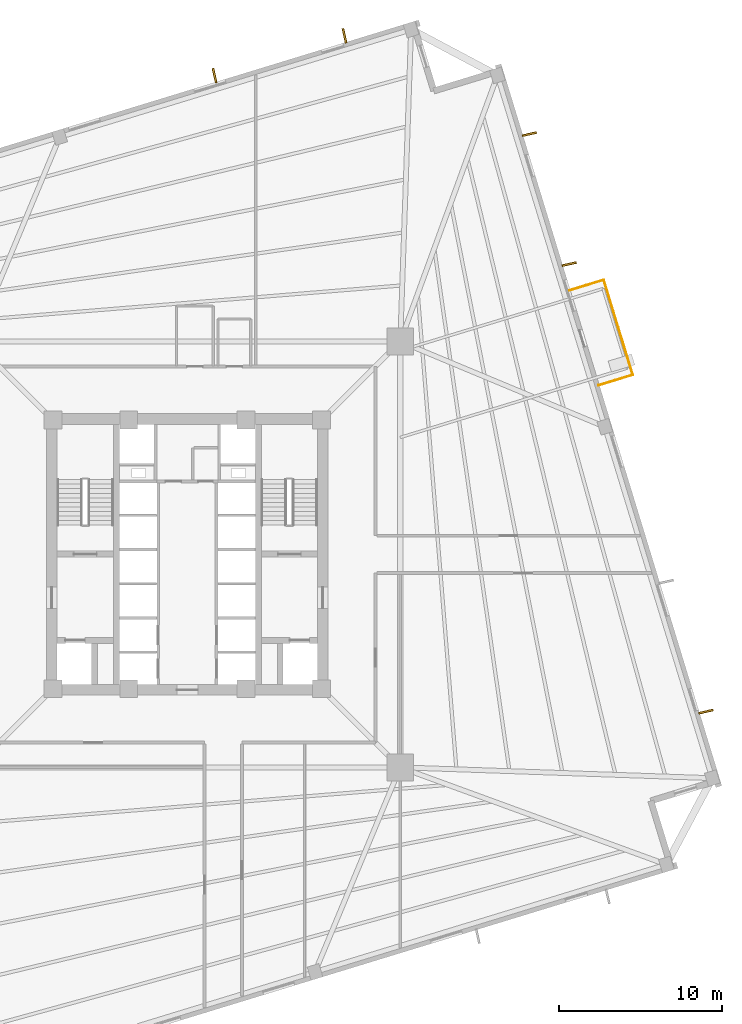
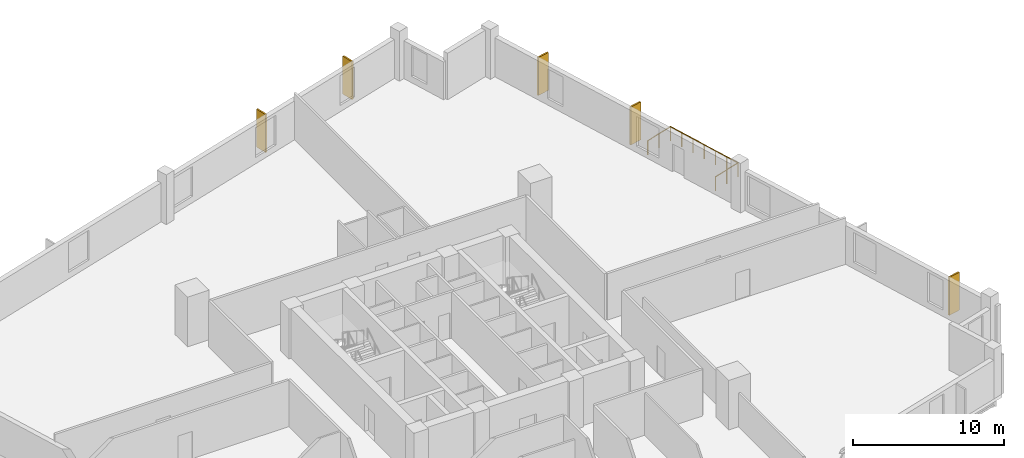
# One storey, part 9 of 9: 5 coverings, 3 railings.
"""IFC4 building model written with IfcOpenShell, lengths in metres."""

import ifcopenshell
import ifcopenshell.guid

model = None  # the IFC model being written
_history = None  # IfcOwnerHistory: only IFC2X3 demands one
_inside = {}  # id of a spatial element -> (the spatial element, [elements in it])
_under = {}  # id of a project, library or spatial element -> (it, [spatial elements below it])
_declared = {}  # id of a project -> (the project, [libraries it declares])
_typed = {}  # id of a type object -> (the type object, [elements of that type])
_made_of = {}  # id of a material, layer set ... -> (it, [elements and type objects made of it])


def new_model(schema):
    """Start an empty IFC model of exactly this schema.

    Asked for "IFC4X3", IfcOpenShell would pick the latest addendum, in which some entities
    have other attributes; the version numbers below select the first issue.
    IFC2X3 requires an IfcOwnerHistory on every rooted entity: one is made here for all.
    """
    global model, _history
    if schema == "IFC4X3":
        model = ifcopenshell.file(schema_version=(4, 3, 0, 0))
    else:
        model = ifcopenshell.file(schema=schema)
    _inside.clear()
    _under.clear()
    _declared.clear()
    _typed.clear()
    _made_of.clear()
    _history = None
    if model.schema == "IFC2X3":
        org = make("IfcOrganization", Name="unknown")
        user = make(
            "IfcPersonAndOrganization",
            ThePerson=make("IfcPerson", FamilyName="unknown"),
            TheOrganization=org,
        )
        app = make(
            "IfcApplication",
            ApplicationDeveloper=org,
            Version="unknown",
            ApplicationFullName="unknown",
            ApplicationIdentifier="unknown",
        )
        _history = make(
            "IfcOwnerHistory",
            OwningUser=user,
            OwningApplication=app,
            ChangeAction="ADDED",
            CreationDate=0,
        )
    return model


def make(cls, **values):
    """One entity of the class cls with the attributes given. An attribute that is None is left unset."""
    return model.create_entity(
        cls, **{name: value for name, value in values.items() if value is not None}
    )


def rooted(cls, **values):
    """An entity with a GlobalId (a new one), such as an element, a storey or a relation."""
    return make(cls, GlobalId=ifcopenshell.guid.new(), OwnerHistory=_history, **values)


def si_unit(unit_type, name, prefix=None):
    """IfcSIUnit, for example si_unit("LENGTHUNIT", "METRE", prefix="MILLI")."""
    return make("IfcSIUnit", UnitType=unit_type, Prefix=prefix, Name=name)


def assignment(units):
    """IfcUnitAssignment: the units of a project."""
    return None if units is None else make("IfcUnitAssignment", Units=units)


def point(xyz):
    """IfcCartesianPoint."""
    return None if xyz is None else make("IfcCartesianPoint", Coordinates=xyz)


def direction(xyz):
    """IfcDirection."""
    return None if xyz is None else make("IfcDirection", DirectionRatios=xyz)


def frame(location, z_axis=None, x_axis=None):
    """IfcAxis2Placement3D, a coordinate frame: its origin and axes. An axis left out is left unset."""
    return make(
        "IfcAxis2Placement3D",
        Location=point(location),
        Axis=direction(z_axis),
        RefDirection=direction(x_axis),
    )


def frame_2d(location, x_axis=None):
    """IfcAxis2Placement2D, a coordinate frame in the plane: its origin and x axis."""
    return make(
        "IfcAxis2Placement2D", Location=point(location), RefDirection=direction(x_axis)
    )


def origin():
    """The frame at (0, 0, 0) with its axes left unset."""
    return frame((0.0, 0.0, 0.0))


def origin_2d():
    """The frame at (0, 0) in the plane with its x axis left unset."""
    return frame_2d((0.0, 0.0))


def place(relative_to, where):
    """IfcLocalPlacement: puts the frame where relative to a parent placement (None: the world)."""
    return make(
        "IfcLocalPlacement", PlacementRelTo=relative_to, RelativePlacement=where
    )


def context(
    kind, dimensions, precision=None, world=None, true_north=None, identifier=None
):
    """IfcGeometricRepresentationContext, for example the 3D "Model" context."""
    return make(
        "IfcGeometricRepresentationContext",
        ContextIdentifier=identifier,
        ContextType=kind,
        CoordinateSpaceDimension=dimensions,
        Precision=precision,
        WorldCoordinateSystem=world,
        TrueNorth=true_north,
    )


def subcontext(parent, identifier, kind, view, scale=None):
    """IfcGeometricRepresentationSubContext, for example "Body" below "Model"."""
    return make(
        "IfcGeometricRepresentationSubContext",
        ContextIdentifier=identifier,
        ContextType=kind,
        ParentContext=parent,
        TargetScale=scale,
        TargetView=view,
    )


def project(units=None, contexts=None):
    """IfcProject with its units and contexts."""
    return rooted(
        "IfcProject",
        Name="project",
        RepresentationContexts=contexts,
        UnitsInContext=assignment(units),
    )


def spatial(cls, under=None, at=None, **own):
    """A site, building, storey or space (cls), placed at a placement, below another one or the project."""
    s = rooted(cls, ObjectPlacement=at, **own)
    if under is not None:
        _under.setdefault(under.id(), (under, []))[1].append(s)
    return s


def profile(cls, at=None, kind="AREA", **sizes):
    """A parametric profile (cls). Its sizes go by their IFC names, for example OverallWidth=200.0."""
    return make(cls, ProfileType=kind, Position=at, **sizes)


def rectangle(**sizes):
    """IfcRectangleProfileDef."""
    return profile("IfcRectangleProfileDef", **sizes)


def circle(**sizes):
    """IfcCircleProfileDef."""
    return profile("IfcCircleProfileDef", **sizes)


def extrude(swept, where, along, depth):
    """IfcExtrudedAreaSolid: the profile swept, set in the frame where, extruded along a direction by depth."""
    return make(
        "IfcExtrudedAreaSolid",
        SweptArea=swept,
        Position=where,
        ExtrudedDirection=direction(along),
        Depth=depth,
    )


def shape(context_of_items, identifier, shape_type, items):
    """IfcShapeRepresentation: the items that make up one representation, for example the "Body"."""
    return make(
        "IfcShapeRepresentation",
        ContextOfItems=context_of_items,
        RepresentationIdentifier=identifier,
        RepresentationType=shape_type,
        Items=items,
    )


def source(mapping_origin, context_of_items, identifier, shape_type, items):
    """IfcRepresentationMap: a shape defined once, which mapped items show again and again."""
    return make(
        "IfcRepresentationMap",
        MappingOrigin=mapping_origin,
        MappedRepresentation=shape(context_of_items, identifier, shape_type, items),
    )


def transform(
    local_origin,
    x_axis=None,
    y_axis=None,
    z_axis=None,
    scale=None,
    scale2=None,
    scale3=None,
    uniform=True,
):
    """IfcCartesianTransformationOperator3D, or its non-uniform kind. x_axis, y_axis, z_axis: its Axis1, 2, 3."""
    if uniform:
        return make(
            "IfcCartesianTransformationOperator3D",
            Axis1=direction(x_axis),
            Axis2=direction(y_axis),
            LocalOrigin=point(local_origin),
            Scale=scale,
            Axis3=direction(z_axis),
        )
    return make(
        "IfcCartesianTransformationOperator3DnonUniform",
        Axis1=direction(x_axis),
        Axis2=direction(y_axis),
        LocalOrigin=point(local_origin),
        Scale=scale,
        Axis3=direction(z_axis),
        Scale2=scale2,
        Scale3=scale3,
    )


def mapped(mapping_source, mapping_target):
    """IfcMappedItem: shows the shape of a source again, moved by a transform."""
    return make(
        "IfcMappedItem", MappingSource=mapping_source, MappingTarget=mapping_target
    )


def material(Name=None, Category=None):
    """IfcMaterial."""
    return make("IfcMaterial", Name=Name, Category=Category)


def layer(
    of_material, thickness, ventilated=None, Name=None, Category=None, Priority=None
):
    """IfcMaterialLayer: one layer of a wall or slab, of a material (None: an air gap)."""
    return make(
        "IfcMaterialLayer",
        Material=of_material,
        LayerThickness=thickness,
        IsVentilated=ventilated,
        Name=Name,
        Category=Category,
        Priority=Priority,
    )


def layer_set(layers, Name=None):
    """IfcMaterialLayerSet."""
    return make("IfcMaterialLayerSet", MaterialLayers=layers, LayerSetName=Name)


def made_of(thing, what):
    """Note that an element or type object is made of a material, layer set ...; save() writes the relation."""
    if what is not None:
        _made_of.setdefault(what.id(), (what, []))[1].append(thing)
    return thing


def type_object(cls, material=None, **own):
    """A type object (cls), such as IfcWallType, which elements share."""
    return made_of(rooted(cls, **own), material)


def element(
    cls,
    number,
    at=None,
    inside=None,
    cuts=None,
    type_object=None,
    material=None,
    context=None,
    identifier="Body",
    shape_type=None,
    held_by="IfcProductDefinitionShape",
    body=None,
    shapes=None,
    **own,
):
    """One element of the class cls, such as IfcWall. Its Tag is "e" and its number.

    at: its placement. inside: the storey or other place that contains it. cuts: it is an
    opening in that element (IfcRelVoidsElement). A single representation is given by context,
    identifier, shape_type and body (its items); several are given by shapes. held_by: the class
    of the entity that holds the representations. save() writes the other relations.
    """
    e = rooted(cls, Tag="e%d" % number, ObjectPlacement=at, **own)
    if body is not None:
        shapes = [shape(context, identifier, shape_type, body)]
    if shapes is not None:
        e.Representation = make(held_by, Representations=shapes)
    if inside is not None:
        _inside.setdefault(inside.id(), (inside, []))[1].append(e)
    if cuts is not None:
        rooted(
            "IfcRelVoidsElement", RelatingBuildingElement=cuts, RelatedOpeningElement=e
        )
    if type_object is not None:
        _typed.setdefault(type_object.id(), (type_object, []))[1].append(e)
    return made_of(e, material)


def aggregate(whole, parts):
    """IfcRelAggregates: a whole, such as a stair, and the parts it consists of."""
    return rooted("IfcRelAggregates", RelatingObject=whole, RelatedObjects=parts)


def save(model, path):
    """Write the relations noted so far, then the file.

    IfcRelAggregates (storeys below a building ...), IfcRelContainedInSpatialStructure (elements
    in a storey), IfcRelDefinesByType, IfcRelAssociatesMaterial and IfcRelDeclares: one each for
    every whole, place, type object, material and project.
    """
    for whole, parts in _under.values():
        aggregate(whole, parts)
    for where, things in _inside.values():
        rooted(
            "IfcRelContainedInSpatialStructure",
            RelatedElements=things,
            RelatingStructure=where,
        )
    for kind, things in _typed.values():
        rooted("IfcRelDefinesByType", RelatedObjects=things, RelatingType=kind)
    for what, things in _made_of.values():
        rooted("IfcRelAssociatesMaterial", RelatedObjects=things, RelatingMaterial=what)
    for by, libraries in _declared.values():
        rooted("IfcRelDeclares", RelatingContext=by, RelatedDefinitions=libraries)
    model.write(path)


model = new_model("IFC4")

# Units and contexts
model_context = context("Model", 3, precision=1e-05, world=origin(), true_north=direction((0.0, 1.0)))
body_context = subcontext(model_context, "Body", "Model", "MODEL_VIEW")
ifc_project = project(units=[si_unit("LENGTHUNIT", "METRE"), si_unit("AREAUNIT", "SQUARE_METRE"), si_unit("VOLUMEUNIT", "CUBIC_METRE"), si_unit("PLANEANGLEUNIT", "RADIAN"), si_unit("MASSUNIT", "GRAM", prefix="KILO"), si_unit("THERMODYNAMICTEMPERATUREUNIT", "KELVIN")], contexts=[model_context])

# Site, building, storey
site_placement = place(None, origin())
site = spatial("IfcSite", under=ifc_project, at=site_placement, CompositionType="ELEMENT")
building_placement = place(site_placement, origin())
building = spatial("IfcBuilding", under=site, at=building_placement, Name="Kosmvard Interchange Tower", CompositionType="ELEMENT")
storey_placement = place(building_placement, frame((0.0, 0.0, 131.199951171875)))
storey = spatial("IfcBuildingStorey", under=building, at=storey_placement, Name="L31", CompositionType="ELEMENT", Elevation=131.199951171875)

# Coverings
ifc_material_1 = material(Name="Architectural anodised aluminium", Category="aluminium")
ifc_layer = layer(ifc_material_1, 0.1201171875, Name="Architectural anodised aluminium")
ifc_layer_set = layer_set([ifc_layer], Name="Architectural anodised aluminium")
covering_type = type_object("IfcCoveringType", Name="Rotating Vertical Sun-Breaker Fin 900x120 Aluminium", PredefinedType="CLADDING", material=ifc_layer_set)
shared_shape_1 = source(origin(), body_context, "Body", "SweptSolid", [
    extrude(rectangle(XDim=0.89990234375, YDim=0.1201171875, at=origin_2d()), origin(), (0.0, 0.0, 1.0), 3.06005859375),
])
for number, where, z_axis, x_axis, name in (
    (1, (31.865966796875, -9.6572265625, 0.0400390625), (0.0, 0.0, 1.0), (0.975457743712, 0.220186716747, 0.0), "L31 Rotating Vertical Sun-Breaker Fin 05"),
    (2, (23.45849609375, 17.841796875, 0.0400390625), (0.0, 0.0, 1.0), (0.975457743712, 0.220186716747, 0.0), "L31 Rotating Vertical Sun-Breaker Fin 07"),
    (3, (21.017822265625, 25.825439453125, 0.0400390625), (0.0, 0.0, 1.0), (0.975457743712, 0.220186716747, 0.0), "L31 Rotating Vertical Sun-Breaker Fin 08"),
    (4, (9.6572265625, 31.865966796875, 0.0400390625), (0.0, 0.0, 1.0), (-0.220186716747, 0.975457743712, 0.0), "L31 Rotating Vertical Sun-Breaker Fin 09"),
    (5, (1.673583984375, 29.425048828125, 0.0400390625), (0.0, 0.0, 1.0), (-0.220186716747, 0.975457743712, 0.0), "L31 Rotating Vertical Sun-Breaker Fin 10"),
):
    element("IfcCovering", number, at=place(storey_placement, frame(where, z_axis=z_axis, x_axis=x_axis)), inside=storey, type_object=covering_type, Name=name, PredefinedType="CLADDING", context=body_context, shape_type="MappedRepresentation", body=[
        mapped(shared_shape_1, transform((0.0, 0.0, 0.0), scale=1.0)),
    ])

# Railings
ifc_material_2 = material(Name="Steel S355", Category="steel")
railing_type = type_object("IfcRailingType", Name="Observation & Balcony Glass-Infill Balustrade 1150", PredefinedType="BALUSTRADE", material=ifc_material_2)
shared_shape_2 = source(origin(), body_context, "Body", "SweptSolid", [
    extrude(circle(Radius=0.02392578125, at=origin_2d()), frame((0.0, 0.0, 1.1259765625), z_axis=(0.956329170869, 0.292291835236, 0.0), x_axis=(-0.292291835236, 0.956329170869, 0.0)), (0.0, 0.0, 1.0), 2.2001953125),
    extrude(circle(Radius=0.02099609375, at=origin_2d()), origin(), (0.0, 0.0, 1.0), 1.101806640625),
    extrude(circle(Radius=0.02099609375, at=origin_2d()), frame((1.052001953125, 0.321533203125, 0.0)), (0.0, 0.0, 1.0), 1.101806640625),
    extrude(circle(Radius=0.02099609375, at=origin_2d()), frame((2.10400390625, 0.64306640625, 0.0)), (0.0, 0.0, 1.0), 1.101806640625),
])
railing_1_placement = place(storey_placement, frame((25.265869140625, 10.39111328125, 0.0)))
element("IfcRailing", 6, at=railing_1_placement, inside=storey, type_object=railing_type, Name="L31 Outdoor Terrace Guard BAL-L31-E-A", PredefinedType="BALUSTRADE", context=body_context, shape_type="MappedRepresentation", body=[
    mapped(shared_shape_2, transform((0.0, 0.0, 0.0), scale=1.0)),
])
shared_shape_3 = source(origin(), body_context, "Body", "SweptSolid", [
    extrude(circle(Radius=0.02392578125, at=origin_2d()), frame((0.0, 0.0, 1.1259765625), z_axis=(-0.292366986664, 0.956306198406, 0.0), x_axis=(-0.956306198406, -0.292366986664, 0.0)), (0.0, 0.0, 1.0), 6.10009765625),
    extrude(circle(Radius=0.02099609375, at=origin_2d()), origin(), (0.0, 0.0, 1.0), 1.101806640625),
    extrude(circle(Radius=0.02099609375, at=origin_2d()), frame((-0.29736328125, 0.97216796875, 0.0)), (0.0, 0.0, 1.0), 1.101806640625),
    extrude(circle(Radius=0.02099609375, at=origin_2d()), frame((-0.594482421875, 1.944580078125, 0.0)), (0.0, 0.0, 1.0), 1.101806640625),
    extrude(circle(Radius=0.02099609375, at=origin_2d()), frame((-0.8916015625, 2.916748046875, 0.0)), (0.0, 0.0, 1.0), 1.101806640625),
    extrude(circle(Radius=0.02099609375, at=origin_2d()), frame((-1.18896484375, 3.888916015625, 0.0)), (0.0, 0.0, 1.0), 1.101806640625),
    extrude(circle(Radius=0.02099609375, at=origin_2d()), frame((-1.486328125, 4.861328125, 0.0)), (0.0, 0.0, 1.0), 1.101806640625),
    extrude(circle(Radius=0.02099609375, at=origin_2d()), frame((-1.783447265625, 5.83349609375, 0.0)), (0.0, 0.0, 1.0), 1.101806640625),
])
railing_2_placement = place(storey_placement, frame((27.369873046875, 11.0341796875, 0.0)))
element("IfcRailing", 7, at=railing_2_placement, inside=storey, type_object=railing_type, Name="L31 Outdoor Terrace Guard BAL-L31-E-B", PredefinedType="BALUSTRADE", context=body_context, shape_type="MappedRepresentation", body=[
    mapped(shared_shape_3, transform((0.0, 0.0, 0.0), scale=1.0)),
])
shared_shape_4 = source(origin(), body_context, "Body", "SweptSolid", [
    extrude(circle(Radius=0.02392578125, at=origin_2d()), frame((0.0, 0.0, 1.1259765625), z_axis=(-0.956329170869, -0.292291835236, 0.0), x_axis=(0.292291835236, -0.956329170869, 0.0)), (0.0, 0.0, 1.0), 2.2001953125),
    extrude(circle(Radius=0.02099609375, at=origin_2d()), origin(), (0.0, 0.0, 1.0), 1.101806640625),
    extrude(circle(Radius=0.02099609375, at=origin_2d()), frame((-1.052001953125, -0.321533203125, 0.0)), (0.0, 0.0, 1.0), 1.101806640625),
    extrude(circle(Radius=0.02099609375, at=origin_2d()), frame((-2.10400390625, -0.64306640625, 0.0)), (0.0, 0.0, 1.0), 1.101806640625),
])
railing_3_placement = place(storey_placement, frame((25.58642578125, 16.86767578125, 0.0)))
element("IfcRailing", 8, at=railing_3_placement, inside=storey, type_object=railing_type, Name="L31 Outdoor Terrace Guard BAL-L31-E-C", PredefinedType="BALUSTRADE", context=body_context, shape_type="MappedRepresentation", body=[
    mapped(shared_shape_4, transform((0.0, 0.0, 0.0), scale=1.0)),
])

save(model, "model.ifc")
